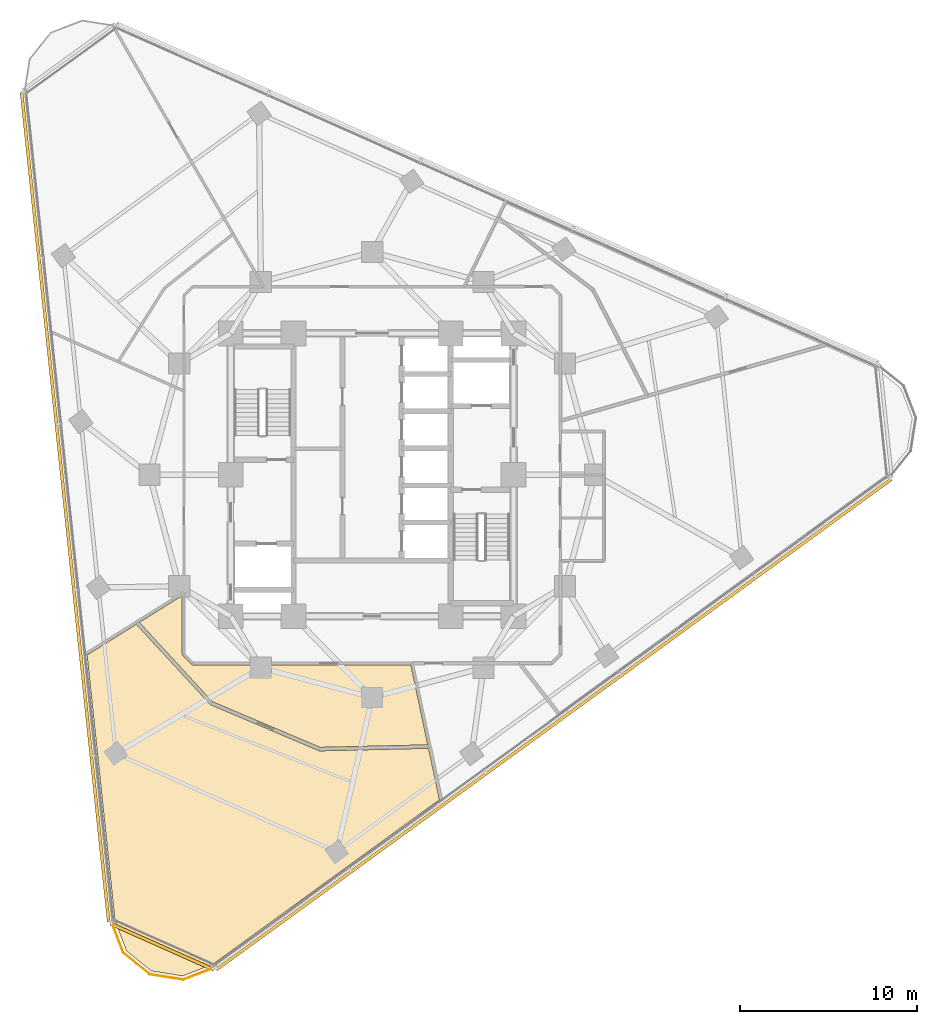
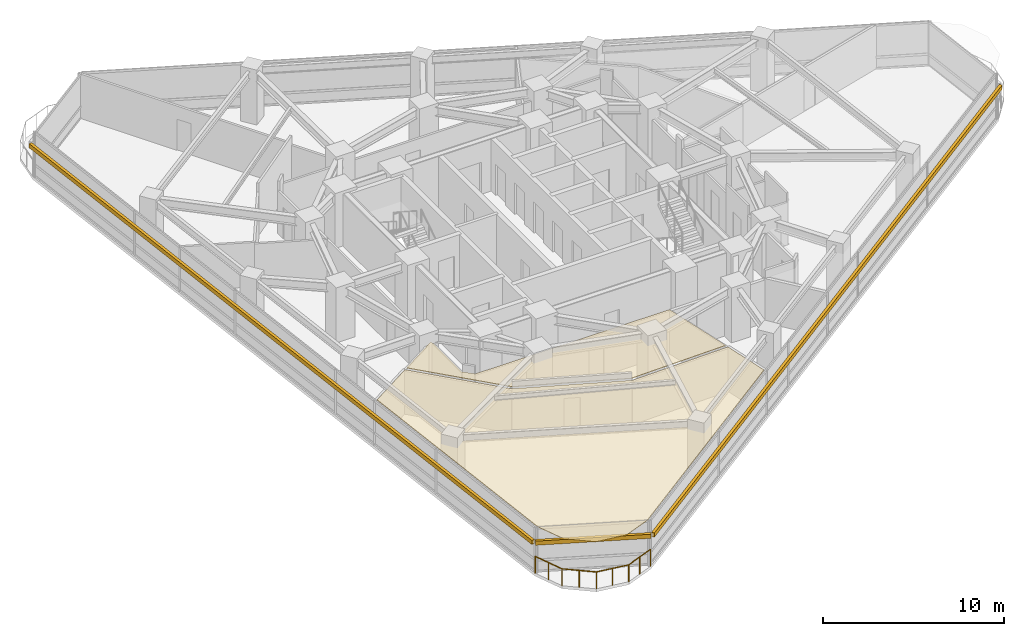
# One storey, part 12 of 14: 3 shading devices, 2 coverings, 1 railing.
"""IFC4 building model written with IfcOpenShell, lengths in metres."""

from ifc_helpers import new_model, si_unit, direction, frame, origin, origin_2d, place, context, subcontext, project, spatial, polyline, rectangle, circle, outline, extrude, material, layer, layer_set, type_object, element, save


model = new_model("IFC4")

# Units and contexts
model_context = context("Model", 3, precision=1e-05, world=origin(), true_north=direction((0.0, 1.0)))
body_context = subcontext(model_context, "Body", "Model", "MODEL_VIEW")
ifc_project = project(units=[si_unit("LENGTHUNIT", "METRE"), si_unit("AREAUNIT", "SQUARE_METRE"), si_unit("VOLUMEUNIT", "CUBIC_METRE"), si_unit("PLANEANGLEUNIT", "RADIAN"), si_unit("MASSUNIT", "GRAM", prefix="KILO")], contexts=[model_context])

# Site, building, storey
site_placement = place(None, origin())
site = spatial("IfcSite", under=ifc_project, at=site_placement, CompositionType="ELEMENT")
building_placement = place(site_placement, origin())
building = spatial("IfcBuilding", under=site, at=building_placement, Name="Terralouvre Media Tower", CompositionType="ELEMENT")
storey_placement = place(building_placement, frame((0.0, 0.0, 154.60009765625)))
storey = spatial("IfcBuildingStorey", under=building, at=storey_placement, Name="L39", CompositionType="ELEMENT", Elevation=154.60009765625)

# Coverings
ifc_material_1 = material(Name="Perforated aluminium acoustic ceiling baffle", Category="aluminium")
ifc_layer_1 = layer(ifc_material_1, 0.0400390625, Name="Perforated Acoustic Metal Tile Ceiling CL-AC1")
ifc_layer_set_1 = layer_set([ifc_layer_1], Name="Perforated aluminium acoustic ceiling baffle")
covering_type = type_object("IfcCoveringType", Name="Perforated Acoustic Metal Tile Ceiling CL-AC1", PredefinedType="CEILING", material=ifc_layer_set_1)
covering_1_placement = place(storey_placement, frame((0.0, 0.0, 2.97998046875), z_axis=(0.0, 0.0, 1.0), x_axis=(0.809016994375, 0.587785252292, 0.0)))
element("IfcCovering", 1, at=covering_1_placement, inside=storey, type_object=covering_type, Name="L39 Director Master Control Room 2 Acoustic Ceiling", PredefinedType="CEILING", context=body_context, shape_type="SweptSolid", body=[
    extrude(outline(polyline([(-11.5810546875, -10.890869140625), (-11.58935546875, -10.88427734375), (-11.596923828125, -10.876953125), (-11.603759765625, -10.868896484375), (-11.60986328125, -10.860107421875), (-15.03955078125, -5.15185546875), (-15.044677734375, -5.142578125), (-15.048583984375, -5.1328125), (-15.051513671875, -5.12255859375), (-15.05322265625, -5.112060546875), (-15.768798828125, 1.00244140625), (-19.040771484375, 1.231201171875), (-26.59912109375, -11.860107421875), (-27.072509765625, -13.62548828125), (-26.60693359375, -15.362060546875), (-25.3359375, -16.632568359375), (-23.571044921875, -17.10546875), (-7.72509765625, -17.10546875), (-6.517333984375, -14.39306640625), (-11.5810546875, -10.890869140625)])), origin(), (0.0, 0.0, 1.0), 0.0400390625),
])
covering_2_placement = place(storey_placement, frame((0.0, 0.0, 2.97998046875), z_axis=(0.0, 0.0, 1.0), x_axis=(0.809016994375, 0.587785252292, 0.0)))
element("IfcCovering", 2, at=covering_2_placement, inside=storey, type_object=covering_type, Name="L39 Broadcast Floor Crew Room 3 Acoustic Ceiling", PredefinedType="CEILING", context=body_context, shape_type="SweptSolid", body=[
    extrude(outline(polyline([(-14.857177734375, -5.0673828125), (-11.449462890625, -10.738525390625), (-6.4345703125, -14.20703125), (-4.552490234375, -9.97998046875), (-14.5302734375, -2.73095703125), (-14.537841796875, -2.724853515625), (-14.544921875, -2.718017578125), (-14.55126953125, -2.71044921875), (-14.556640625, -2.7021484375), (-14.561279296875, -2.693603515625), (-14.565185546875, -2.6845703125), (-14.568115234375, -2.67529296875), (-14.570068359375, -2.665771484375), (-14.680908203125, -1.96728515625), (-14.681884765625, -1.95751953125), (-14.681884765625, -1.94775390625), (-14.68115234375, -1.93798828125), (-14.67919921875, -1.92822265625), (-14.676513671875, -1.918701171875), (-14.6728515625, -1.90966796875), (-14.668212890625, -1.901123046875), (-14.662841796875, -1.892822265625), (-12.714599609375, 0.788818359375), (-15.565673828125, 0.988037109375), (-14.857177734375, -5.0673828125)])), origin(), (0.0, 0.0, 1.0), 0.0400390625),
])

# Railing
ifc_material_2 = material(Name="Stainless steel 316 handrail and balustrade", Category="steel")
ifc_layer_2 = layer(ifc_material_2, 0.06005859375, Name="Roof Edge Safety Guardrail GR-ROOF1")
ifc_layer_set_2 = layer_set([ifc_layer_2], Name="Stainless steel 316 handrail and balustrade")
railing_type = type_object("IfcRailingType", Name="Roof Edge Safety Guardrail GR-ROOF1", PredefinedType="GUARDRAIL", material=ifc_layer_set_2)
railing_placement = place(storey_placement, frame((-14.756103515625, -25.268798828125, 0.0)))
element("IfcRailing", 3, at=railing_placement, inside=storey, type_object=railing_type, Name="L39 Wind-Corner Perimeter Safety Guardrail C0", PredefinedType="GUARDRAIL", context=body_context, shape_type="SweptSolid", body=[
    extrude(circle(Radius=0.02099609375, at=origin_2d()), frame((0.0, 0.0, 1.12890625), z_axis=(0.358184292829, -0.933650904981, 0.0), x_axis=(0.933650904981, 0.358184292829, 0.0)), (0.0, 0.0, 1.0), 1.91455078125),
    extrude(circle(Radius=0.02099609375, at=origin_2d()), frame((0.685791015625, -1.78759765625, 1.12890625), z_axis=(0.777022086472, -0.62947333314, 0.0), x_axis=(0.62947333314, 0.777022086472, 0.0)), (0.0, 0.0, 1.0), 1.914306640625),
    extrude(circle(Radius=0.02099609375, at=origin_2d()), frame((2.17333984375, -2.99267578125, 1.12890625), z_axis=(0.987721569441, -0.156224521958, 0.0), x_axis=(0.156224521958, 0.987721569441, 0.0)), (0.0, 0.0, 1.0), 1.914306640625),
    extrude(circle(Radius=0.02099609375, at=origin_2d()), frame((4.064208984375, -3.291748046875, 1.12890625), z_axis=(0.933506543973, 0.358560360832, 0.0), x_axis=(-0.358560360832, 0.933506543973, 0.0)), (0.0, 0.0, 1.0), 1.91455078125),
    extrude(circle(Radius=0.01904296875, at=origin_2d()), origin(), (0.0, 0.0, 1.0), 1.10791015625),
    extrude(circle(Radius=0.01904296875, at=origin_2d()), frame((0.3427734375, -0.893798828125, 0.0)), (0.0, 0.0, 1.0), 1.10791015625),
    extrude(circle(Radius=0.01904296875, at=origin_2d()), frame((0.685791015625, -1.78759765625, 0.0)), (0.0, 0.0, 1.0), 1.10791015625),
    extrude(circle(Radius=0.01904296875, at=origin_2d()), frame((1.4296875, -2.39013671875, 0.0)), (0.0, 0.0, 1.0), 1.10791015625),
    extrude(circle(Radius=0.01904296875, at=origin_2d()), frame((2.17333984375, -2.99267578125, 0.0)), (0.0, 0.0, 1.0), 1.10791015625),
    extrude(circle(Radius=0.01904296875, at=origin_2d()), frame((3.11865234375, -3.14208984375, 0.0)), (0.0, 0.0, 1.0), 1.10791015625),
    extrude(circle(Radius=0.01904296875, at=origin_2d()), frame((4.064208984375, -3.291748046875, 0.0)), (0.0, 0.0, 1.0), 1.10791015625),
    extrude(circle(Radius=0.01904296875, at=origin_2d()), frame((4.9580078125, -2.948486328125, 0.0)), (0.0, 0.0, 1.0), 1.10791015625),
    extrude(circle(Radius=0.01904296875, at=origin_2d()), frame((5.8515625, -2.605224609375, 0.0)), (0.0, 0.0, 1.0), 1.10791015625),
])

# Shading devices
ifc_material_3 = material(Name="Extruded terracotta baguette sunshade louvres", Category="masonry")
shading_device_type = type_object("IfcShadingDeviceType", Name="Terracotta Baguette Sunshade Louvre Screen TB-LV1", PredefinedType="USERDEFINED", material=ifc_material_3)
for number, where, z_axis, x_axis, name in (
    (4, (10.265869140625, -14.1298828125, 2.02392578125), (0.0, 0.0, 1.0), (0.809016917383, 0.587785358263, 0.0), "CW-L39-F0 Terracotta Baguette Sunshade Louvre"),
    (5, (-17.369873046875, -1.82568359375, 2.02392578125), (0.0, 0.0, 1.0), (0.104528376236, -0.994521904516, 0.0), "CW-L39-F2 Terracotta Baguette Sunshade Louvre"),
):
    element("IfcShadingDevice", number, at=place(storey_placement, frame(where, z_axis=z_axis, x_axis=x_axis)), inside=storey, type_object=shading_device_type, Name=name, ObjectType="BAGUETTE", PredefinedType="USERDEFINED", context=body_context, shape_type="SweptSolid", body=[
        extrude(rectangle(XDim=47.199951171875, YDim=0.179931640625, at=origin_2d()), origin(), (0.0, 0.0, 1.0), 0.280029296875),
    ])
shading_device_placement = place(storey_placement, frame((-11.88525390625, -26.694580078125, 2.02392578125), z_axis=(0.0, 0.0, 1.0), x_axis=(0.913545408199, -0.406736754128, 0.0)))
element("IfcShadingDevice", 6, at=shading_device_placement, inside=storey, type_object=shading_device_type, Name="CW-L39-C0 Terracotta Baguette Sunshade Louvre", ObjectType="BAGUETTE", PredefinedType="USERDEFINED", context=body_context, shape_type="SweptSolid", body=[
    extrude(rectangle(XDim=6.40869140625, YDim=0.179931640625, at=origin_2d()), origin(), (0.0, 0.0, 1.0), 0.280029296875),
])

save(model, "model.ifc")
